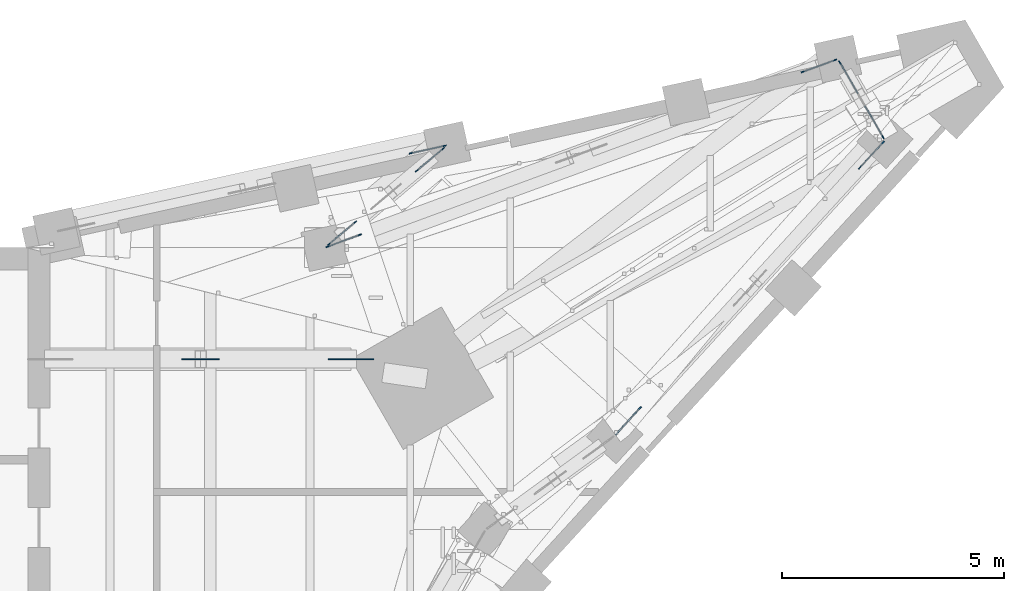
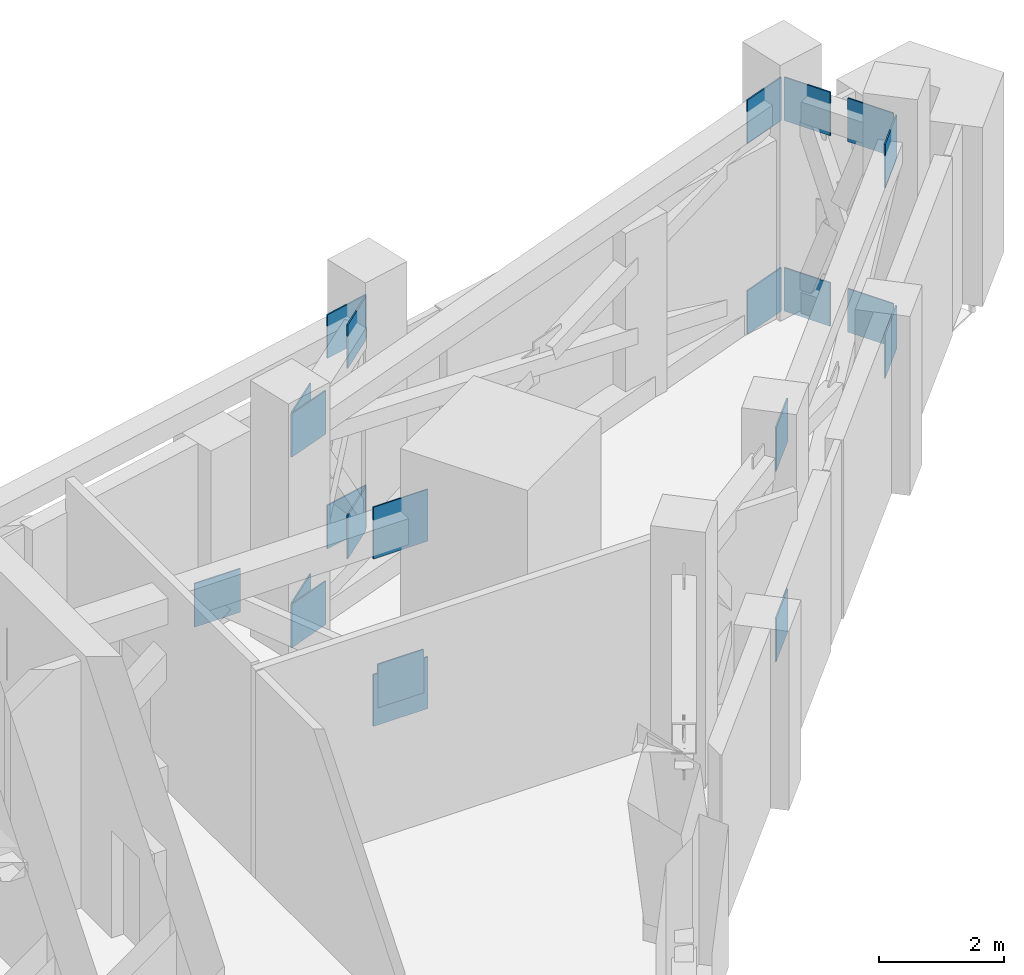
# One storey, part 16 of 23: 22 discrete accessories.
"""IFC4 building model written with IfcOpenShell, lengths in metres."""

import ifcopenshell
import ifcopenshell.guid

model = None  # the IFC model being written
_history = None  # IfcOwnerHistory: only IFC2X3 demands one
_inside = {}  # id of a spatial element -> (the spatial element, [elements in it])
_under = {}  # id of a project, library or spatial element -> (it, [spatial elements below it])
_declared = {}  # id of a project -> (the project, [libraries it declares])
_typed = {}  # id of a type object -> (the type object, [elements of that type])
_made_of = {}  # id of a material, layer set ... -> (it, [elements and type objects made of it])


def new_model(schema):
    """Start an empty IFC model of exactly this schema.

    Asked for "IFC4X3", IfcOpenShell would pick the latest addendum, in which some entities
    have other attributes; the version numbers below select the first issue.
    IFC2X3 requires an IfcOwnerHistory on every rooted entity: one is made here for all.
    """
    global model, _history
    if schema == "IFC4X3":
        model = ifcopenshell.file(schema_version=(4, 3, 0, 0))
    else:
        model = ifcopenshell.file(schema=schema)
    _inside.clear()
    _under.clear()
    _declared.clear()
    _typed.clear()
    _made_of.clear()
    _history = None
    if model.schema == "IFC2X3":
        org = make("IfcOrganization", Name="unknown")
        user = make(
            "IfcPersonAndOrganization",
            ThePerson=make("IfcPerson", FamilyName="unknown"),
            TheOrganization=org,
        )
        app = make(
            "IfcApplication",
            ApplicationDeveloper=org,
            Version="unknown",
            ApplicationFullName="unknown",
            ApplicationIdentifier="unknown",
        )
        _history = make(
            "IfcOwnerHistory",
            OwningUser=user,
            OwningApplication=app,
            ChangeAction="ADDED",
            CreationDate=0,
        )
    return model


def make(cls, **values):
    """One entity of the class cls with the attributes given. An attribute that is None is left unset."""
    return model.create_entity(
        cls, **{name: value for name, value in values.items() if value is not None}
    )


def rooted(cls, **values):
    """An entity with a GlobalId (a new one), such as an element, a storey or a relation."""
    return make(cls, GlobalId=ifcopenshell.guid.new(), OwnerHistory=_history, **values)


def si_unit(unit_type, name, prefix=None):
    """IfcSIUnit, for example si_unit("LENGTHUNIT", "METRE", prefix="MILLI")."""
    return make("IfcSIUnit", UnitType=unit_type, Prefix=prefix, Name=name)


def assignment(units):
    """IfcUnitAssignment: the units of a project."""
    return None if units is None else make("IfcUnitAssignment", Units=units)


def point(xyz):
    """IfcCartesianPoint."""
    return None if xyz is None else make("IfcCartesianPoint", Coordinates=xyz)


def direction(xyz):
    """IfcDirection."""
    return None if xyz is None else make("IfcDirection", DirectionRatios=xyz)


def frame(location, z_axis=None, x_axis=None):
    """IfcAxis2Placement3D, a coordinate frame: its origin and axes. An axis left out is left unset."""
    return make(
        "IfcAxis2Placement3D",
        Location=point(location),
        Axis=direction(z_axis),
        RefDirection=direction(x_axis),
    )


def frame_2d(location, x_axis=None):
    """IfcAxis2Placement2D, a coordinate frame in the plane: its origin and x axis."""
    return make(
        "IfcAxis2Placement2D", Location=point(location), RefDirection=direction(x_axis)
    )


def origin():
    """The frame at (0, 0, 0) with its axes left unset."""
    return frame((0.0, 0.0, 0.0))


def origin_2d():
    """The frame at (0, 0) in the plane with its x axis left unset."""
    return frame_2d((0.0, 0.0))


def place(relative_to, where):
    """IfcLocalPlacement: puts the frame where relative to a parent placement (None: the world)."""
    return make(
        "IfcLocalPlacement", PlacementRelTo=relative_to, RelativePlacement=where
    )


def context(
    kind, dimensions, precision=None, world=None, true_north=None, identifier=None
):
    """IfcGeometricRepresentationContext, for example the 3D "Model" context."""
    return make(
        "IfcGeometricRepresentationContext",
        ContextIdentifier=identifier,
        ContextType=kind,
        CoordinateSpaceDimension=dimensions,
        Precision=precision,
        WorldCoordinateSystem=world,
        TrueNorth=true_north,
    )


def subcontext(parent, identifier, kind, view, scale=None):
    """IfcGeometricRepresentationSubContext, for example "Body" below "Model"."""
    return make(
        "IfcGeometricRepresentationSubContext",
        ContextIdentifier=identifier,
        ContextType=kind,
        ParentContext=parent,
        TargetScale=scale,
        TargetView=view,
    )


def project(units=None, contexts=None):
    """IfcProject with its units and contexts."""
    return rooted(
        "IfcProject",
        Name="project",
        RepresentationContexts=contexts,
        UnitsInContext=assignment(units),
    )


def spatial(cls, under=None, at=None, **own):
    """A site, building, storey or space (cls), placed at a placement, below another one or the project."""
    s = rooted(cls, ObjectPlacement=at, **own)
    if under is not None:
        _under.setdefault(under.id(), (under, []))[1].append(s)
    return s


def profile(cls, at=None, kind="AREA", **sizes):
    """A parametric profile (cls). Its sizes go by their IFC names, for example OverallWidth=200.0."""
    return make(cls, ProfileType=kind, Position=at, **sizes)


def rectangle(**sizes):
    """IfcRectangleProfileDef."""
    return profile("IfcRectangleProfileDef", **sizes)


def extrude(swept, where, along, depth):
    """IfcExtrudedAreaSolid: the profile swept, set in the frame where, extruded along a direction by depth."""
    return make(
        "IfcExtrudedAreaSolid",
        SweptArea=swept,
        Position=where,
        ExtrudedDirection=direction(along),
        Depth=depth,
    )


def shape(context_of_items, identifier, shape_type, items):
    """IfcShapeRepresentation: the items that make up one representation, for example the "Body"."""
    return make(
        "IfcShapeRepresentation",
        ContextOfItems=context_of_items,
        RepresentationIdentifier=identifier,
        RepresentationType=shape_type,
        Items=items,
    )


def material(Name=None, Category=None):
    """IfcMaterial."""
    return make("IfcMaterial", Name=Name, Category=Category)


def made_of(thing, what):
    """Note that an element or type object is made of a material, layer set ...; save() writes the relation."""
    if what is not None:
        _made_of.setdefault(what.id(), (what, []))[1].append(thing)
    return thing


def type_object(cls, material=None, **own):
    """A type object (cls), such as IfcWallType, which elements share."""
    return made_of(rooted(cls, **own), material)


def element(
    cls,
    number,
    at=None,
    inside=None,
    cuts=None,
    type_object=None,
    material=None,
    context=None,
    identifier="Body",
    shape_type=None,
    held_by="IfcProductDefinitionShape",
    body=None,
    shapes=None,
    **own,
):
    """One element of the class cls, such as IfcWall. Its Tag is "e" and its number.

    at: its placement. inside: the storey or other place that contains it. cuts: it is an
    opening in that element (IfcRelVoidsElement). A single representation is given by context,
    identifier, shape_type and body (its items); several are given by shapes. held_by: the class
    of the entity that holds the representations. save() writes the other relations.
    """
    e = rooted(cls, Tag="e%d" % number, ObjectPlacement=at, **own)
    if body is not None:
        shapes = [shape(context, identifier, shape_type, body)]
    if shapes is not None:
        e.Representation = make(held_by, Representations=shapes)
    if inside is not None:
        _inside.setdefault(inside.id(), (inside, []))[1].append(e)
    if cuts is not None:
        rooted(
            "IfcRelVoidsElement", RelatingBuildingElement=cuts, RelatedOpeningElement=e
        )
    if type_object is not None:
        _typed.setdefault(type_object.id(), (type_object, []))[1].append(e)
    return made_of(e, material)


def aggregate(whole, parts):
    """IfcRelAggregates: a whole, such as a stair, and the parts it consists of."""
    return rooted("IfcRelAggregates", RelatingObject=whole, RelatedObjects=parts)


def save(model, path):
    """Write the relations noted so far, then the file.

    IfcRelAggregates (storeys below a building ...), IfcRelContainedInSpatialStructure (elements
    in a storey), IfcRelDefinesByType, IfcRelAssociatesMaterial and IfcRelDeclares: one each for
    every whole, place, type object, material and project.
    """
    for whole, parts in _under.values():
        aggregate(whole, parts)
    for where, things in _inside.values():
        rooted(
            "IfcRelContainedInSpatialStructure",
            RelatedElements=things,
            RelatingStructure=where,
        )
    for kind, things in _typed.values():
        rooted("IfcRelDefinesByType", RelatedObjects=things, RelatingType=kind)
    for what, things in _made_of.values():
        rooted("IfcRelAssociatesMaterial", RelatedObjects=things, RelatingMaterial=what)
    for by, libraries in _declared.values():
        rooted("IfcRelDeclares", RelatingContext=by, RelatedDefinitions=libraries)
    model.write(path)


model = new_model("IFC4")

# Units and contexts
model_context = context("Model", 3, precision=1e-05, world=origin(), true_north=direction((0.0, 1.0)))
body_context = subcontext(model_context, "Body", "Model", "MODEL_VIEW")
ifc_project = project(units=[si_unit("LENGTHUNIT", "METRE"), si_unit("AREAUNIT", "SQUARE_METRE"), si_unit("VOLUMEUNIT", "CUBIC_METRE"), si_unit("PLANEANGLEUNIT", "RADIAN"), si_unit("MASSUNIT", "GRAM", prefix="KILO")], contexts=[model_context])

# Site, building, storey
site_placement = place(None, origin())
site = spatial("IfcSite", under=ifc_project, at=site_placement, CompositionType="ELEMENT")
building_placement = place(site_placement, origin())
building = spatial("IfcBuilding", under=site, at=building_placement, Name="Calabash Gate Tower", CompositionType="ELEMENT")
storey_placement = place(building_placement, frame((0.0, 0.0, 243.199951171875)))
storey = spatial("IfcBuildingStorey", under=building, at=storey_placement, Name="L58", CompositionType="ELEMENT", Elevation=243.199951171875)

# Discrete accessories
ifc_material = material(Name="Steel ASTM A572 Gr50", Category="steel")
discrete_accessory_type = type_object("IfcDiscreteAccessoryType", Name="Connection plate 25", PredefinedType="BRACKET", material=ifc_material)
for number, where, z_axis, x_axis, name in (
    (1, (27.407958984375, 15.158203125, -0.2216796875), (0.0, 0.0, 1.0), (0.674856054399, 0.737949392466, 0.0), "Connection plate Belt chord L58 56 start"),
    (2, (32.874267578125, 21.1357421875, -0.2216796875), (0.0, 0.0, 1.0), (0.674856054399, 0.737949392466, 0.0), "Connection plate Belt chord L58 56 end"),
    (3, (27.407958984375, 15.158203125, 3.50146484375), (0.0, 0.0, 1.0), (0.674856054399, 0.737949392466, 0.0), "Connection plate Belt chord L58 57 start"),
    (4, (32.874267578125, 21.1357421875, 3.50146484375), (0.0, 0.0, 1.0), (0.674856054399, 0.737949392466, 0.0), "Connection plate Belt chord L58 57 end"),
    (5, (32.94189453125, 21.87646484375, -0.2216796875), (0.0, 0.0, 1.0), (-0.49999981862, 0.866025508504, 0.0), "Connection plate Belt chord L58 61 start"),
    (6, (32.357421875, 22.88916015625, -0.2216796875), (0.0, 0.0, 1.0), (-0.49999981862, 0.866025508504, 0.0), "Connection plate Belt chord L58 61 end"),
    (7, (32.94189453125, 21.87646484375, 3.50146484375), (0.0, 0.0, 1.0), (-0.49999981862, 0.866025508504, 0.0), "Connection plate Belt chord L58 62 start"),
    (8, (32.357421875, 22.88916015625, 3.50146484375), (0.0, 0.0, 1.0), (-0.49999981862, 0.866025508504, 0.0), "Connection plate Belt chord L58 62 end"),
    (9, (31.695068359375, 23.14111328125, -0.2216796875), (0.0, 0.0, 1.0), (-0.938551160023, -0.345140145478, 0.0), "Connection plate Belt chord L58 66 start"),
    (10, (21.003173828125, 19.209228515625, -0.2216796875), (0.0, 0.0, 1.0), (-0.938551160023, -0.345140145478, 0.0), "Connection plate Belt chord L58 66 end"),
    (11, (31.695068359375, 23.14111328125, 3.50146484375), (0.0, 0.0, 1.0), (-0.938551160023, -0.345140145478, 0.0), "Connection plate Belt chord L58 67 start"),
    (12, (21.003173828125, 19.209228515625, 3.50146484375), (0.0, 0.0, 1.0), (-0.938551160023, -0.345140145478, 0.0), "Connection plate Belt chord L58 67 end"),
    (13, (20.966064453125, 19.378173828125, -0.2216796875), (0.0, 0.0, 1.0), (0.766903641735, 0.641762264623, 0.0), "Connection plate Belt chord L58 71 start"),
    (14, (22.94384765625, 21.033203125, -0.2216796875), (0.0, 0.0, 1.0), (0.766903641735, 0.641762264623, 0.0), "Connection plate Belt chord L58 71 end"),
    (15, (20.966064453125, 19.378173828125, 3.50146484375), (0.0, 0.0, 1.0), (0.766903641735, 0.641762264623, 0.0), "Connection plate Belt chord L58 72 start"),
    (16, (22.94384765625, 21.033203125, 3.50146484375), (0.0, 0.0, 1.0), (0.766903641735, 0.641762264623, 0.0), "Connection plate Belt chord L58 72 end"),
    (17, (22.893310546875, 21.26171875, -0.2216796875), (0.0, 0.0, 1.0), (-0.976510974107, -0.215467671471, 0.0), "Connection plate Belt chord L58 76 start"),
    (18, (22.893310546875, 21.26171875, 3.50146484375), (0.0, 0.0, 1.0), (-0.976510974107, -0.215467671471, 0.0), "Connection plate Belt chord L58 77 start"),
):
    element("IfcDiscreteAccessory", number, at=place(storey_placement, frame(where, z_axis=z_axis, x_axis=x_axis)), inside=storey, type_object=discrete_accessory_type, Name=name, PredefinedType="BRACKET", context=body_context, shape_type="SweptSolid", body=[
        extrude(rectangle(XDim=0.850341796875, YDim=0.02490234375, at=origin_2d()), origin(), (0.0, 0.0, 1.0), 0.850341796875),
    ])
for number, where, z_axis, x_axis, name in (
    (19, (21.16845703125, 16.547119140625, -0.252197265625), (0.0, 0.0, 1.0), (-1.0, 0.0, 0.0), "Connection plate Outrigger chord L58 NE start"),
    (20, (21.16845703125, 16.547119140625, 3.019775390625), (0.0, 0.0, 1.0), (-1.0, 0.0, 0.0), "Connection plate Outrigger chord L58 NE start"),
):
    element("IfcDiscreteAccessory", number, at=place(storey_placement, frame(where, z_axis=z_axis, x_axis=x_axis)), inside=storey, type_object=discrete_accessory_type, Name=name, PredefinedType="BRACKET", context=body_context, shape_type="SweptSolid", body=[
        extrude(rectangle(XDim=1.0126953125, YDim=0.02490234375, at=origin_2d()), origin(), (0.0, 0.0, 1.0), 1.0126953125),
    ])
for number, where, z_axis, x_axis, name in (
    (21, (21.16845703125, 16.547119140625, 0.0830078125), (0.0, 0.0, 1.0), (-1.0, 0.0, 0.0), "Connection plate Outrigger diagonal L58 NE start"),
    (22, (17.7841796875, 16.547119140625, 2.8466796875), (0.0, 0.0, 1.0), (-1.0, 0.0, 0.0), "Connection plate Outrigger diagonal L58 NE end"),
):
    element("IfcDiscreteAccessory", number, at=place(storey_placement, frame(where, z_axis=z_axis, x_axis=x_axis)), inside=storey, type_object=discrete_accessory_type, Name=name, PredefinedType="BRACKET", context=body_context, shape_type="SweptSolid", body=[
        extrude(rectangle(XDim=0.850341796875, YDim=0.02490234375, at=origin_2d()), origin(), (0.0, 0.0, 1.0), 0.850341796875),
    ])

save(model, "model.ifc")
